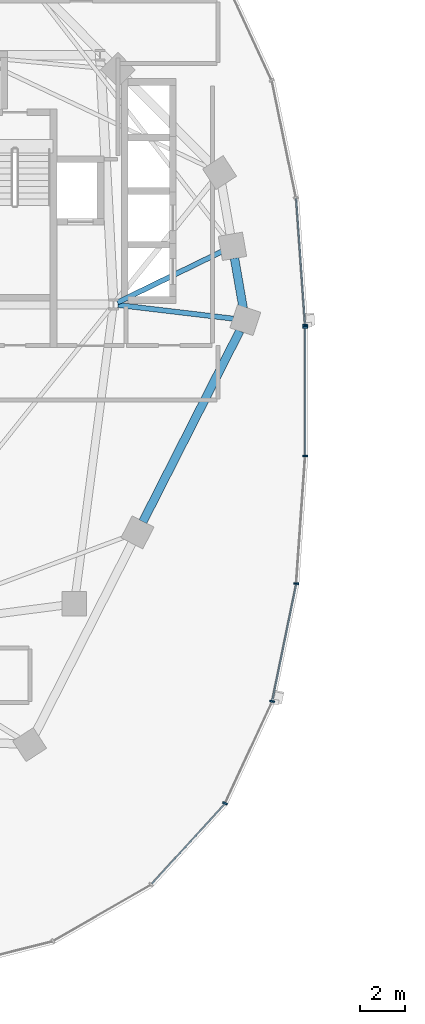
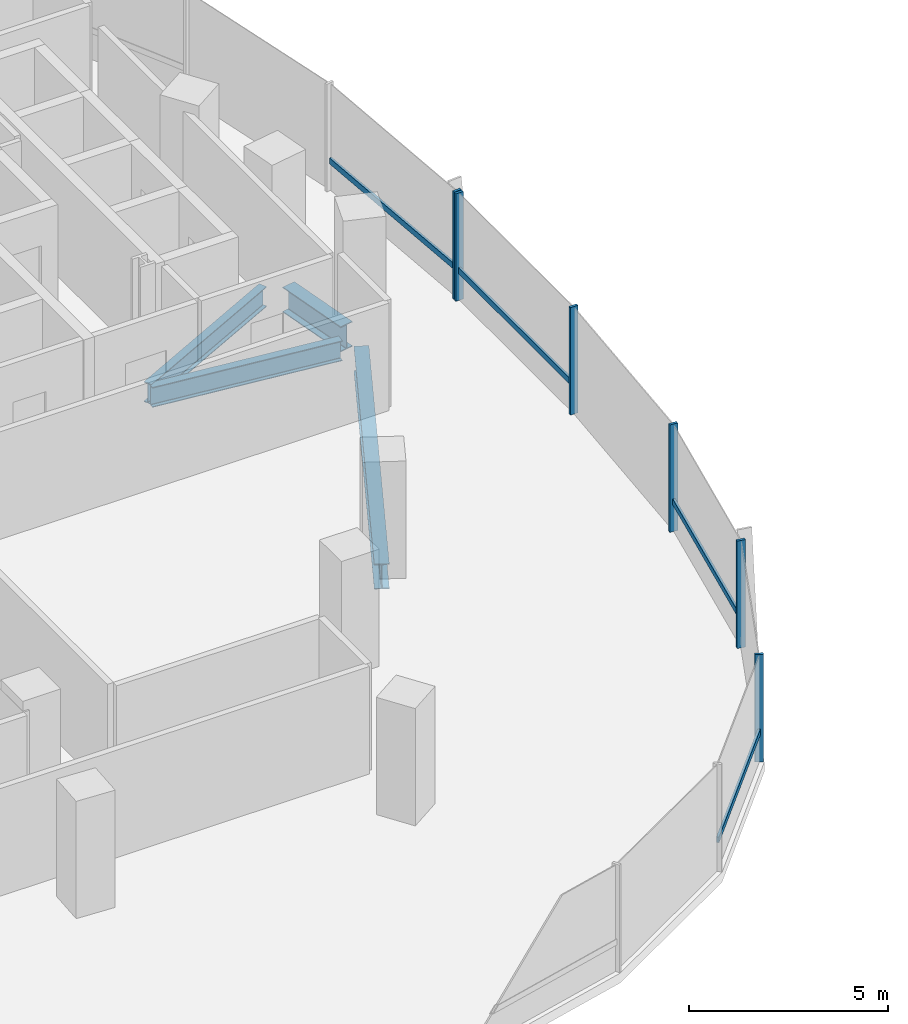
# One storey, part 3 of 21: 10 members, 4 beams, 2 elements without a shape of their own.
"""IFC4 building model written with IfcOpenShell, lengths in metres."""

from ifc_helpers import new_model, si_unit, direction, frame, origin, origin_2d, place, context, subcontext, project, spatial, rectangle, i_section, extrude, material, material_profile, profile_set, type_object, element, aggregate, save


model = new_model("IFC4")

# Units and contexts
model_context = context("Model", 3, precision=1e-05, world=origin(), true_north=direction((0.0, 1.0)))
body_context = subcontext(model_context, "Body", "Model", "MODEL_VIEW")
ifc_project = project(units=[si_unit("LENGTHUNIT", "METRE"), si_unit("AREAUNIT", "SQUARE_METRE"), si_unit("VOLUMEUNIT", "CUBIC_METRE"), si_unit("PLANEANGLEUNIT", "RADIAN"), si_unit("MASSUNIT", "GRAM", prefix="KILO"), si_unit("THERMODYNAMICTEMPERATUREUNIT", "KELVIN"), si_unit("POWERUNIT", "WATT")], contexts=[model_context])

# Site, building, storey
site_placement = place(None, origin())
site = spatial("IfcSite", under=ifc_project, at=site_placement, CompositionType="ELEMENT")
building_placement = place(site_placement, origin())
building = spatial("IfcBuilding", under=site, at=building_placement, Name="Cundina Bronze Exchange", CompositionType="ELEMENT")
storey_placement = place(building_placement, frame((0.0, 0.0, 85.39990234375)))
storey = spatial("IfcBuildingStorey", under=building, at=storey_placement, Name="L21", CompositionType="ELEMENT", Elevation=85.39990234375)

# Beams
ifc_material_1 = material(Name="Steel ASTM A992 Grade 50", Category="steel")
ifc_material_profile_1 = material_profile(ifc_material_1, i_section(OverallWidth=0.22998046875, OverallDepth=0.616943359375, WebThickness=0.01318359375, FlangeThickness=0.022216796875, FilletRadius=0.013916015625, at=origin_2d()), Name="W24X94", Category="steel")
ifc_profile_set_1 = profile_set([ifc_material_profile_1], Name="Steel ASTM A992 Grade 50")
beam_type_1 = type_object("IfcBeamType", Name="BM-FLR-W24B", PredefinedType="BEAM", material=ifc_profile_set_1)
beam_1_placement = place(storey_placement, frame((-21.247314453125, 3.8759765625, -0.6083984375), z_axis=(0.993035701683, -0.117813815752, 0.0), x_axis=(0.117813815752, 0.993035701683, 0.0)))
element("IfcBeam", 1, at=beam_1_placement, inside=storey, type_object=beam_type_1, Name="L21 Leg W Radial Floor Beam 00", PredefinedType="BEAM", context=body_context, shape_type="SweptSolid", body=[
    extrude(i_section(OverallWidth=0.22998046875, OverallDepth=0.616943359375, WebThickness=0.01318359375, FlangeThickness=0.022216796875, FilletRadius=0.013916015625, at=origin_2d()), origin(), (0.0, 0.0, 1.0), 5.19921875),
])
beam_2_placement = place(storey_placement, frame((-21.2666015625, 3.989501953125, -0.6083984375), z_axis=(0.898607246385, 0.438753936443, 0.0), x_axis=(-0.438753936443, 0.898607246385, 0.0)))
element("IfcBeam", 2, at=beam_2_placement, inside=storey, type_object=beam_type_1, Name="L21 Leg W Radial Floor Beam 01", PredefinedType="BEAM", context=body_context, shape_type="SweptSolid", body=[
    extrude(i_section(OverallWidth=0.22998046875, OverallDepth=0.616943359375, WebThickness=0.01318359375, FlangeThickness=0.022216796875, FilletRadius=0.013916015625, at=origin_2d()), origin(), (0.0, 0.0, 1.0), 5.183837890625),
])
ifc_material_profile_2 = material_profile(ifc_material_1, i_section(OverallWidth=0.381103515625, OverallDepth=0.77294921875, WebThickness=0.0166015625, FlangeThickness=0.027099609375, FilletRadius=0.01904296875, at=origin_2d()), Name="W30X173", Category="steel")
ifc_profile_set_2 = profile_set([ifc_material_profile_2], Name="Steel ASTM A992 Grade 50")
beam_type_2 = type_object("IfcBeamType", Name="BM-RING-W30", PredefinedType="USERDEFINED", material=ifc_profile_set_2)
beam_3_placement = place(storey_placement, frame((-15.642333984375, 3.72998046875, -0.6865234375), z_axis=(-0.171690078326, 0.985151012284, 0.0), x_axis=(-0.985151012284, -0.171690078326, 0.0)))
element("IfcBeam", 3, at=beam_3_placement, inside=storey, type_object=beam_type_2, Name="L21 W Perimeter Ring Girder 00", ObjectType="GIRDER", PredefinedType="USERDEFINED", context=body_context, shape_type="SweptSolid", body=[
    extrude(i_section(OverallWidth=0.381103515625, OverallDepth=0.77294921875, WebThickness=0.0166015625, FlangeThickness=0.027099609375, FilletRadius=0.01904296875, at=origin_2d()), origin(), (0.0, 0.0, 1.0), 2.273681640625),
])
beam_4_placement = place(storey_placement, frame((-20.13134765625, -5.8203125, -0.6865234375), z_axis=(0.452832332744, 0.891595692241, 0.0), x_axis=(-0.891595692241, 0.452832332744, 0.0)))
element("IfcBeam", 4, at=beam_4_placement, inside=storey, type_object=beam_type_2, Name="L21 W Perimeter Ring Girder 13", ObjectType="GIRDER", PredefinedType="USERDEFINED", context=body_context, shape_type="SweptSolid", body=[
    extrude(i_section(OverallWidth=0.381103515625, OverallDepth=0.77294921875, WebThickness=0.0166015625, FlangeThickness=0.027099609375, FilletRadius=0.01904296875, at=origin_2d()), origin(), (0.0, 0.0, 1.0), 9.578857421875),
])

# Curtain wall, member
ifc_material_2 = material(Name="Anodised Bronze Aluminium 6063-T6", Category="aluminium")
curtain_wall_type = type_object("IfcCurtainWallType", Name="CWS-TRD-MID", PredefinedType="NOTDEFINED", material=ifc_material_2)
curtain_wall_1_placement = place(storey_placement, origin())
curtain_wall_1 = element("IfcCurtainWall", 5, at=curtain_wall_1_placement, inside=storey, type_object=curtain_wall_type, Name="L21 CW-03 Curtain Wall Run CWR-L21-W1", PredefinedType="NOTDEFINED")
ifc_material_profile_3 = material_profile(ifc_material_2, rectangle(XDim=0.074951171875, YDim=0.219970703125, at=origin_2d()), Name="AL75X220", Category="aluminium")
ifc_profile_set_3 = profile_set([ifc_material_profile_3], Name="Anodised Bronze Aluminium 6063-T6")
member_type_1 = type_object("IfcMemberType", Name="CWM-MUL-220", PredefinedType="MULLION", material=ifc_profile_set_3)
member_1_placement = place(storey_placement, frame((-12.87548828125, 2.976318359375, 0.0), z_axis=(0.0, 0.0, 1.0), x_axis=(-0.070278787473, 0.997527389113, 0.0)))
member_1 = element("IfcMember", 6, at=member_1_placement, type_object=member_type_1, Name="CW-03 Mullion 1", PredefinedType="MULLION", context=body_context, shape_type="SweptSolid", body=[
    extrude(rectangle(XDim=0.074951171875, YDim=0.219970703125, at=origin_2d()), origin(), (0.0, 0.0, 1.0), 3.300048828125),
])

# Curtain wall, members
curtain_wall_2_placement = place(storey_placement, origin())
curtain_wall_2 = element("IfcCurtainWall", 7, at=curtain_wall_2_placement, inside=storey, type_object=curtain_wall_type, Name="L21 CW-03 Curtain Wall Run CWR-L21-W4", PredefinedType="NOTDEFINED")
member_2_placement = place(storey_placement, frame((-16.455810546875, -18.423583984375, 0.0), z_axis=(0.0, 0.0, 1.0), x_axis=(0.42087749791, 0.907117485088, 0.0)))
member_2 = element("IfcMember", 8, at=member_2_placement, type_object=member_type_1, Name="CW-03 Mullion 4", PredefinedType="MULLION", context=body_context, shape_type="SweptSolid", body=[
    extrude(rectangle(XDim=0.074951171875, YDim=0.219970703125, at=origin_2d()), origin(), (0.0, 0.0, 1.0), 3.300048828125),
])
member_3_placement = place(storey_placement, frame((-14.348876953125, -13.861328125, 0.0), z_axis=(0.0, 0.0, 1.0), x_axis=(0.201419845156, 0.979505000486, 0.0)))
member_3 = element("IfcMember", 9, at=member_3_placement, type_object=member_type_1, Name="CW-03 Mullion 5", PredefinedType="MULLION", context=body_context, shape_type="SweptSolid", body=[
    extrude(rectangle(XDim=0.074951171875, YDim=0.219970703125, at=origin_2d()), origin(), (0.0, 0.0, 1.0), 3.300048828125),
])
member_4_placement = place(storey_placement, frame((-13.27099609375, -8.591552734375, 0.0), z_axis=(0.0, 0.0, 1.0), x_axis=(0.070278787473, 0.997527389113, 0.0)))
member_4 = element("IfcMember", 10, at=member_4_placement, type_object=member_type_1, Name="CW-03 Mullion 6", PredefinedType="MULLION", context=body_context, shape_type="SweptSolid", body=[
    extrude(rectangle(XDim=0.074951171875, YDim=0.219970703125, at=origin_2d()), origin(), (0.0, 0.0, 1.0), 3.300048828125),
])
member_5_placement = place(storey_placement, frame((-12.8720703125, -2.880615234375, 0.0), z_axis=(0.0, 0.0, 1.0), x_axis=(0.0, 1.0, 0.0)))
member_5 = element("IfcMember", 11, at=member_5_placement, type_object=member_type_1, Name="CW-03 Mullion 7", PredefinedType="MULLION", context=body_context, shape_type="SweptSolid", body=[
    extrude(rectangle(XDim=0.074951171875, YDim=0.219970703125, at=origin_2d()), origin(), (0.0, 0.0, 1.0), 3.300048828125),
])
member_6_placement = place(storey_placement, frame((-12.8720703125, 2.880615234375, 0.0), z_axis=(0.0, 0.0, 1.0), x_axis=(0.0, 1.0, 0.0)))
member_6 = element("IfcMember", 12, at=member_6_placement, type_object=member_type_1, Name="CW-03 End Mullion", PredefinedType="MULLION", context=body_context, shape_type="SweptSolid", body=[
    extrude(rectangle(XDim=0.074951171875, YDim=0.219970703125, at=origin_2d()), origin(), (0.0, 0.0, 1.0), 3.300048828125),
])

# Member
ifc_material_profile_4 = material_profile(ifc_material_2, rectangle(XDim=0.070068359375, YDim=0.179931640625, at=origin_2d()), Name="AL70X180", Category="aluminium")
ifc_profile_set_4 = profile_set([ifc_material_profile_4], Name="Anodised Bronze Aluminium 6063-T6")
member_type_2 = type_object("IfcMemberType", Name="CWM-TRN-180", PredefinedType="USERDEFINED", material=ifc_profile_set_4)
member_7_placement = place(storey_placement, frame((-12.87841796875, 3.017333984375, 0.920166015625), z_axis=(-0.070260714471, 0.997528662246, 0.0), x_axis=(-0.997528662246, -0.070260714471, 0.0)))
member_7 = element("IfcMember", 13, at=member_7_placement, type_object=member_type_2, Name="CW-03 Spandrel Transom 1", ObjectType="TRANSOM", PredefinedType="USERDEFINED", context=body_context, shape_type="SweptSolid", body=[
    extrude(rectangle(XDim=0.070068359375, YDim=0.179931640625, at=origin_2d()), origin(), (0.0, 0.0, 1.0), 5.629150390625),
])

aggregate(curtain_wall_1, [member_1, member_7])

member_8_placement = place(storey_placement, frame((-19.73291015625, -22.027099609375, 0.920166015625), z_axis=(0.674302794847, 0.738454968743, 0.0), x_axis=(-0.738454968743, 0.674302794847, 0.0)))
member_8 = element("IfcMember", 14, at=member_8_placement, type_object=member_type_2, Name="CW-03 Spandrel Transom 3", ObjectType="TRANSOM", PredefinedType="USERDEFINED", context=body_context, shape_type="SweptSolid", body=[
    extrude(rectangle(XDim=0.070068359375, YDim=0.179931640625, at=origin_2d()), origin(), (0.0, 0.0, 1.0), 4.848388671875),
])

member_9_placement = place(storey_placement, frame((-14.340576171875, -13.821044921875, 0.920166015625), z_axis=(0.201427712708, 0.979503382615, 0.0), x_axis=(-0.979503382615, 0.201427712708, 0.0)))
member_9 = element("IfcMember", 15, at=member_9_placement, type_object=member_type_2, Name="CW-03 Spandrel Transom 5", ObjectType="TRANSOM", PredefinedType="USERDEFINED", context=body_context, shape_type="SweptSolid", body=[
    extrude(rectangle(XDim=0.070068359375, YDim=0.179931640625, at=origin_2d()), origin(), (0.0, 0.0, 1.0), 5.291748046875),
])

member_10_placement = place(storey_placement, frame((-12.8720703125, -2.839111328125, 0.920166015625), z_axis=(0.0, 1.0, 0.0), x_axis=(-1.0, 0.0, 0.0)))
member_10 = element("IfcMember", 16, at=member_10_placement, type_object=member_type_2, Name="CW-03 Spandrel Transom 7", ObjectType="TRANSOM", PredefinedType="USERDEFINED", context=body_context, shape_type="SweptSolid", body=[
    extrude(rectangle(XDim=0.070068359375, YDim=0.179931640625, at=origin_2d()), origin(), (0.0, 0.0, 1.0), 5.67822265625),
])

aggregate(curtain_wall_2, [member_8, member_2, member_3, member_9, member_4, member_5, member_6, member_10])

save(model, "model.ifc")
